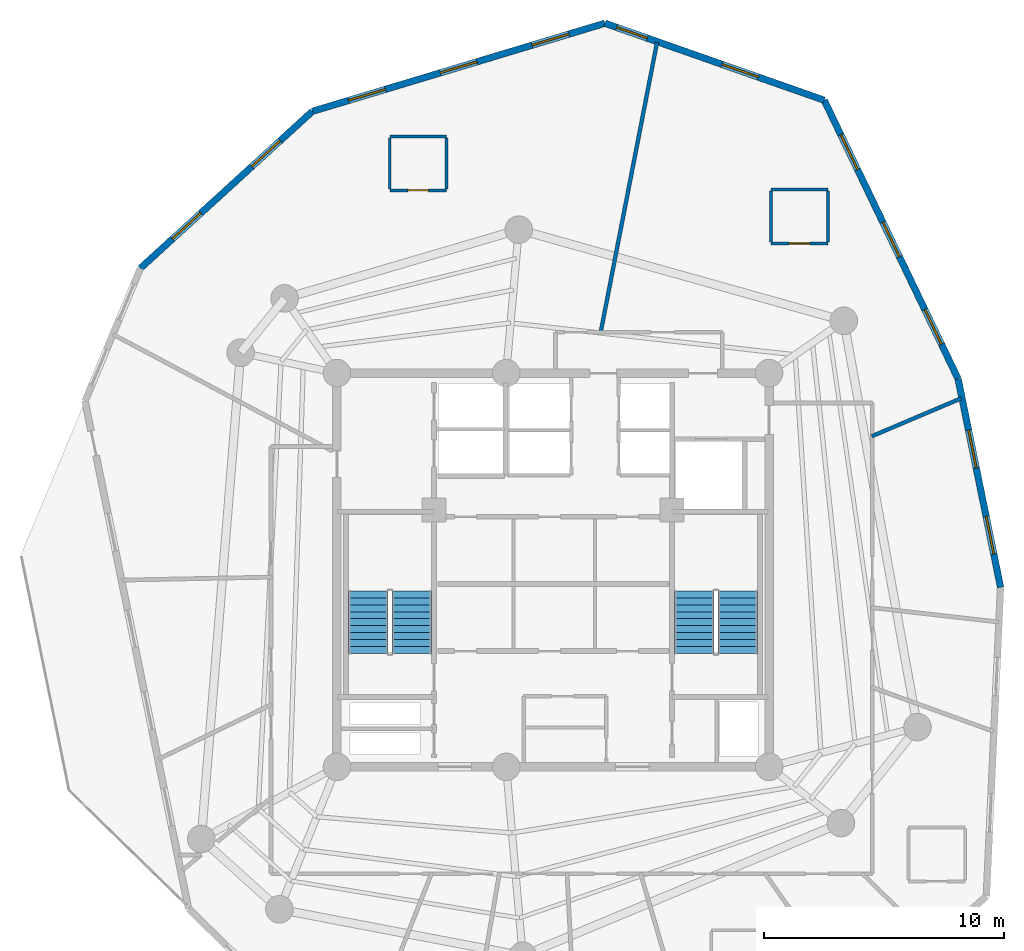
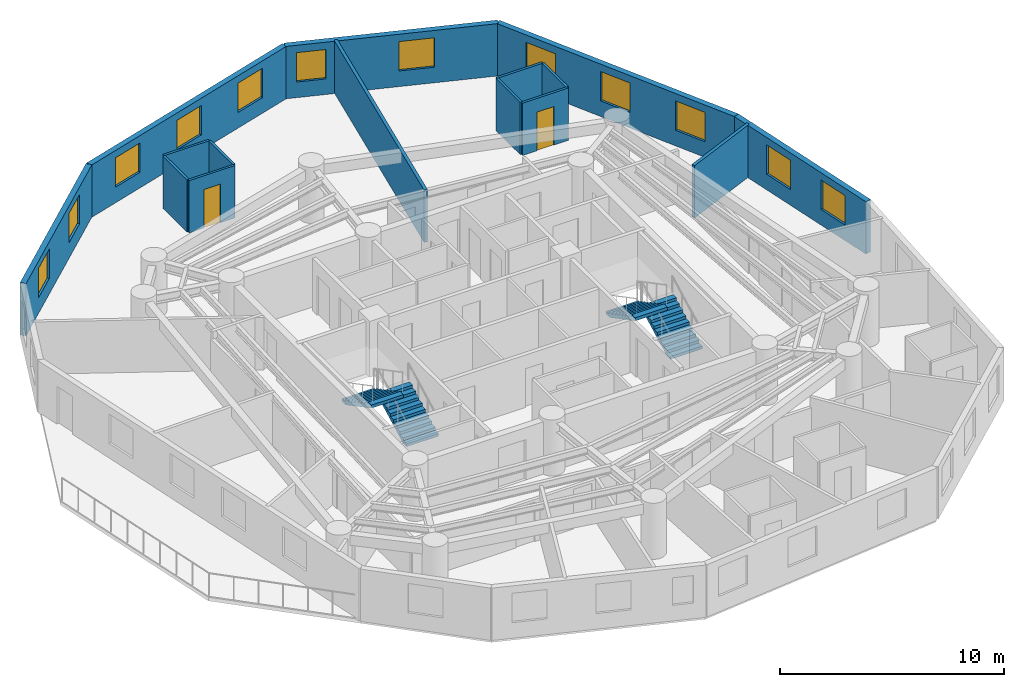
# One storey, part 6 of 8: 15 walls, 12 windows, 4 stair flights, 2 doors, 14 openings, 2 elements without a shape of their own.
"""IFC4 building model written with IfcOpenShell, lengths in metres."""

from ifc_helpers import new_model, si_unit, direction, frame, frame_2d, origin, origin_with_axes, place, context, subcontext, project, spatial, polyline, rectangle, outline, extrude, source, transform, mapped, material, layer, layer_set, type_object, element, fill, aggregate, save


model = new_model("IFC4")

# Units and contexts
model_context = context("Model", 3, precision=1e-05, world=origin(), true_north=direction((0.0, 1.0)))
body_context = subcontext(model_context, "Body", "Model", "MODEL_VIEW")
ifc_project = project(units=[si_unit("LENGTHUNIT", "METRE"), si_unit("AREAUNIT", "SQUARE_METRE"), si_unit("VOLUMEUNIT", "CUBIC_METRE"), si_unit("PLANEANGLEUNIT", "RADIAN"), si_unit("MASSUNIT", "GRAM", prefix="KILO")], contexts=[model_context])

# Site, building, storey
site_placement = place(None, origin())
site = spatial("IfcSite", under=ifc_project, at=site_placement, CompositionType="ELEMENT")
building_placement = place(site_placement, origin())
building = spatial("IfcBuilding", under=site, at=building_placement, Name="Karkom Vertical University and Central Library", CompositionType="ELEMENT")
storey_placement = place(building_placement, frame((0.0, 0.0, 216.89990234375)))
storey = spatial("IfcBuildingStorey", under=building, at=storey_placement, Name="L63", CompositionType="ELEMENT", Elevation=216.89990234375)

# Wall, openings, windows
ifc_material_1 = material(Name="Brick-faced precast concrete C45/55", Category="masonry")
ifc_layer_1 = layer(ifc_material_1, 0.280029296875)
ifc_layer_set_1 = layer_set([ifc_layer_1], Name="Brick-faced precast concrete C45/55")
wall_type_1 = type_object("IfcWallType", Name="ENV-WL-BRK-280", PredefinedType="SOLIDWALL", material=ifc_layer_set_1)
wall_1_placement = place(storey_placement, frame((47.144775390625, 25.774658203125, 0.0), z_axis=(0.0, 0.0, 1.0), x_axis=(-0.199719997546, 0.979853010701, 0.0)))
wall_1 = element("IfcWall", 1, at=wall_1_placement, inside=storey, type_object=wall_type_1, Name="Level 63 Brick-Faced Precast Facade Wall 06", PredefinedType="SOLIDWALL", context=body_context, shape_type="SweptSolid", body=[
    extrude(rectangle(XDim=8.86865234375, YDim=0.280029296875, at=frame_2d((4.434326171875, 0.0))), origin(), (0.0, 0.0, 1.0), 2.85009765625),
])
opening_1_placement = place(wall_1_placement, frame((1.415283203125, 0.0, 0.85009765625)))
opening_1 = element("IfcOpeningElement", 2, at=opening_1_placement, cuts=wall_1, Name="Opening WN-10", PredefinedType="OPENING", context=body_context, shape_type="SweptSolid", body=[
    extrude(rectangle(XDim=1.60009765625, YDim=1.60009765625, at=frame_2d((0.800048828125, 0.800048828125))), frame((0.0, 0.14990234375, 0.0), z_axis=(0.0, -1.0, 0.0), x_axis=(1.0, 0.0, 0.0)), (0.0, 0.0, 1.0), 0.300048828125),
])
opening_2_placement = place(wall_1_placement, frame((5.086181640625, 0.0, 0.85009765625)))
opening_2 = element("IfcOpeningElement", 3, at=opening_2_placement, cuts=wall_1, Name="Opening WN-10", PredefinedType="OPENING", context=body_context, shape_type="SweptSolid", body=[
    extrude(rectangle(XDim=1.60009765625, YDim=1.60009765625, at=frame_2d((0.800048828125, 0.800048828125))), frame((0.0, 0.14990234375, 0.0), z_axis=(0.0, -1.0, 0.0), x_axis=(1.0, 0.0, 0.0)), (0.0, 0.0, 1.0), 0.300048828125),
])
ifc_material_2 = material(Name="Aluminium thermal-break frame with solar-control IGU", Category="aluminium")
window_type_1 = type_object("IfcWindowType", Name="ENV-WIN-WN-10", PartitioningType="SINGLE_PANEL", PredefinedType="WINDOW", material=ifc_material_2)
shared_shape_1 = source(origin_with_axes(), body_context, "Body", "SweptSolid", [
    extrude(rectangle(XDim=1.60009765625, YDim=1.60009765625, at=frame_2d((0.800048828125, 0.800048828125))), frame((0.0, 0.030029296875, 0.0), z_axis=(0.0, -1.0, 0.0), x_axis=(1.0, 0.0, 0.0)), (0.0, 0.0, 1.0), 0.06005859375),
])
window_1_placement = place(opening_1_placement, origin())
window_1 = element("IfcWindow", 4, at=window_1_placement, inside=storey, type_object=window_type_1, Name="Level 63 Punched Window 6.1", OverallHeight=1.60009765625, OverallWidth=1.60009765625, PartitioningType="SINGLE_PANEL", PredefinedType="WINDOW", context=body_context, shape_type="MappedRepresentation", body=[
    mapped(shared_shape_1, transform((0.0, 0.0, 0.0), scale=1.0)),
])
fill(opening_1, window_1)
window_2_placement = place(opening_2_placement, origin())
window_2 = element("IfcWindow", 5, at=window_2_placement, inside=storey, type_object=window_type_1, Name="Level 63 Punched Window 6.2", OverallHeight=1.60009765625, OverallWidth=1.60009765625, PartitioningType="SINGLE_PANEL", PredefinedType="WINDOW", context=body_context, shape_type="MappedRepresentation", body=[
    mapped(shared_shape_1, transform((0.0, 0.0, 0.0), scale=1.0)),
])
fill(opening_2, window_2)

wall_2_placement = place(storey_placement, frame((45.37353515625, 34.464599609375, 0.0), z_axis=(0.0, 0.0, 1.0), x_axis=(-0.433079365024, 0.901355791899, 0.0)))
wall_2 = element("IfcWall", 6, at=wall_2_placement, inside=storey, type_object=wall_type_1, Name="Level 63 Brick-Faced Precast Facade Wall 07", PredefinedType="SOLIDWALL", context=body_context, shape_type="SweptSolid", body=[
    extrude(rectangle(XDim=12.8740234375, YDim=0.280029296875, at=frame_2d((6.43701171875, 0.0))), origin(), (0.0, 0.0, 1.0), 2.85009765625),
])
opening_3_placement = place(wall_2_placement, frame((1.59912109375, 0.0, 0.85009765625)))
opening_3 = element("IfcOpeningElement", 7, at=opening_3_placement, cuts=wall_2, Name="Opening WN-10", PredefinedType="OPENING", context=body_context, shape_type="SweptSolid", body=[
    extrude(rectangle(XDim=1.60009765625, YDim=1.60009765625, at=frame_2d((0.800048828125, 0.800048828125))), frame((0.0, 0.14990234375, 0.0), z_axis=(0.0, -1.0, 0.0), x_axis=(1.0, 0.0, 0.0)), (0.0, 0.0, 1.0), 0.300048828125),
])
opening_4_placement = place(wall_2_placement, frame((5.636962890625, 0.0, 0.85009765625)))
opening_4 = element("IfcOpeningElement", 8, at=opening_4_placement, cuts=wall_2, Name="Opening WN-10", PredefinedType="OPENING", context=body_context, shape_type="SweptSolid", body=[
    extrude(rectangle(XDim=1.60009765625, YDim=1.60009765625, at=frame_2d((0.800048828125, 0.800048828125))), frame((0.0, 0.14990234375, 0.0), z_axis=(0.0, -1.0, 0.0), x_axis=(1.0, 0.0, 0.0)), (0.0, 0.0, 1.0), 0.300048828125),
])
opening_5_placement = place(wall_2_placement, frame((9.6748046875, 0.0, 0.85009765625)))
opening_5 = element("IfcOpeningElement", 9, at=opening_5_placement, cuts=wall_2, Name="Opening WN-10", PredefinedType="OPENING", context=body_context, shape_type="SweptSolid", body=[
    extrude(rectangle(XDim=1.60009765625, YDim=1.60009765625, at=frame_2d((0.800048828125, 0.800048828125))), frame((0.0, 0.14990234375, 0.0), z_axis=(0.0, -1.0, 0.0), x_axis=(1.0, 0.0, 0.0)), (0.0, 0.0, 1.0), 0.300048828125),
])
window_3_placement = place(opening_3_placement, origin())
window_3 = element("IfcWindow", 10, at=window_3_placement, inside=storey, type_object=window_type_1, Name="Level 63 Punched Window 7.1", OverallHeight=1.60009765625, OverallWidth=1.60009765625, PartitioningType="SINGLE_PANEL", PredefinedType="WINDOW", context=body_context, shape_type="MappedRepresentation", body=[
    mapped(shared_shape_1, transform((0.0, 0.0, 0.0), scale=1.0)),
])
fill(opening_3, window_3)
window_4_placement = place(opening_4_placement, origin())
window_4 = element("IfcWindow", 11, at=window_4_placement, inside=storey, type_object=window_type_1, Name="Level 63 Punched Window 7.2", OverallHeight=1.60009765625, OverallWidth=1.60009765625, PartitioningType="SINGLE_PANEL", PredefinedType="WINDOW", context=body_context, shape_type="MappedRepresentation", body=[
    mapped(shared_shape_1, transform((0.0, 0.0, 0.0), scale=1.0)),
])
fill(opening_4, window_4)
window_5_placement = place(opening_5_placement, origin())
window_5 = element("IfcWindow", 12, at=window_5_placement, inside=storey, type_object=window_type_1, Name="Level 63 Punched Window 7.3", OverallHeight=1.60009765625, OverallWidth=1.60009765625, PartitioningType="SINGLE_PANEL", PredefinedType="WINDOW", context=body_context, shape_type="MappedRepresentation", body=[
    mapped(shared_shape_1, transform((0.0, 0.0, 0.0), scale=1.0)),
])
fill(opening_5, window_5)

wall_3_placement = place(storey_placement, frame((39.798095703125, 46.068603515625, 0.0), z_axis=(0.0, 0.0, 1.0), x_axis=(-0.94357772927, 0.331151126867, 0.0)))
wall_3 = element("IfcWall", 13, at=wall_3_placement, inside=storey, type_object=wall_type_1, Name="Level 63 Brick-Faced Precast Facade Wall 08", PredefinedType="SOLIDWALL", context=body_context, shape_type="SweptSolid", body=[
    extrude(rectangle(XDim=9.682373046875, YDim=0.280029296875, at=frame_2d((4.84130859375, 0.0))), origin(), (0.0, 0.0, 1.0), 2.85009765625),
])
opening_6_placement = place(wall_3_placement, frame((2.912841796875, 0.0, 0.85009765625)))
opening_6 = element("IfcOpeningElement", 14, at=opening_6_placement, cuts=wall_3, Name="Opening WN-10", PredefinedType="OPENING", context=body_context, shape_type="SweptSolid", body=[
    extrude(rectangle(XDim=1.60009765625, YDim=1.60009765625, at=frame_2d((0.800048828125, 0.800048828125))), frame((0.0, 0.14990234375, 0.0), z_axis=(0.0, -1.0, 0.0), x_axis=(1.0, 0.0, 0.0)), (0.0, 0.0, 1.0), 0.300048828125),
])
opening_7_placement = place(wall_3_placement, frame((7.819091796875, 0.0, 0.85009765625)))
opening_7 = element("IfcOpeningElement", 15, at=opening_7_placement, cuts=wall_3, Name="Opening WN-11", PredefinedType="OPENING", context=body_context, shape_type="SweptSolid", body=[
    extrude(rectangle(XDim=1.35009765625, YDim=1.60009765625, at=frame_2d((0.675048828125, 0.800048828125))), frame((0.0, 0.14990234375, 0.0), z_axis=(0.0, -1.0, 0.0), x_axis=(1.0, 0.0, 0.0)), (0.0, 0.0, 1.0), 0.300048828125),
])
window_6_placement = place(opening_6_placement, origin())
window_6 = element("IfcWindow", 16, at=window_6_placement, inside=storey, type_object=window_type_1, Name="Level 63 Punched Window 8.1", OverallHeight=1.60009765625, OverallWidth=1.60009765625, PartitioningType="SINGLE_PANEL", PredefinedType="WINDOW", context=body_context, shape_type="MappedRepresentation", body=[
    mapped(shared_shape_1, transform((0.0, 0.0, 0.0), scale=1.0)),
])
fill(opening_6, window_6)
window_type_2 = type_object("IfcWindowType", Name="ENV-WIN-WN-11", PartitioningType="SINGLE_PANEL", PredefinedType="WINDOW", material=ifc_material_2)
shared_shape_2 = source(origin_with_axes(), body_context, "Body", "SweptSolid", [
    extrude(rectangle(XDim=1.35009765625, YDim=1.60009765625, at=frame_2d((0.675048828125, 0.800048828125))), frame((0.0, 0.030029296875, 0.0), z_axis=(0.0, -1.0, 0.0), x_axis=(1.0, 0.0, 0.0)), (0.0, 0.0, 1.0), 0.06005859375),
])
window_7_placement = place(opening_7_placement, origin())
window_7 = element("IfcWindow", 17, at=window_7_placement, inside=storey, type_object=window_type_2, Name="Level 63 Punched Window 8.2", OverallHeight=1.60009765625, OverallWidth=1.35009765625, PartitioningType="SINGLE_PANEL", PredefinedType="WINDOW", context=body_context, shape_type="MappedRepresentation", body=[
    mapped(shared_shape_2, transform((0.0, 0.0, 0.0), scale=1.0)),
])
fill(opening_7, window_7)

wall_4_placement = place(storey_placement, frame((30.662109375, 49.27490234375, 0.0), z_axis=(0.0, 0.0, 1.0), x_axis=(-0.957541243274, -0.288296318792, 0.0)))
wall_4 = element("IfcWall", 18, at=wall_4_placement, inside=storey, type_object=wall_type_1, Name="Level 63 Brick-Faced Precast Facade Wall 09", PredefinedType="SOLIDWALL", context=body_context, shape_type="SweptSolid", body=[
    extrude(rectangle(XDim=12.72705078125, YDim=0.280029296875, at=frame_2d((6.363525390625, 0.0))), origin(), (0.0, 0.0, 1.0), 2.85009765625),
])
opening_8_placement = place(wall_4_placement, frame((1.574462890625, 0.0, 0.85009765625)))
opening_8 = element("IfcOpeningElement", 19, at=opening_8_placement, cuts=wall_4, Name="Opening WN-10", PredefinedType="OPENING", context=body_context, shape_type="SweptSolid", body=[
    extrude(rectangle(XDim=1.60009765625, YDim=1.60009765625, at=frame_2d((0.800048828125, 0.800048828125))), frame((0.0, 0.14990234375, 0.0), z_axis=(0.0, -1.0, 0.0), x_axis=(1.0, 0.0, 0.0)), (0.0, 0.0, 1.0), 0.300048828125),
])
opening_9_placement = place(wall_4_placement, frame((5.563720703125, 0.0, 0.85009765625)))
opening_9 = element("IfcOpeningElement", 20, at=opening_9_placement, cuts=wall_4, Name="Opening WN-10", PredefinedType="OPENING", context=body_context, shape_type="SweptSolid", body=[
    extrude(rectangle(XDim=1.60009765625, YDim=1.60009765625, at=frame_2d((0.800048828125, 0.800048828125))), frame((0.0, 0.14990234375, 0.0), z_axis=(0.0, -1.0, 0.0), x_axis=(1.0, 0.0, 0.0)), (0.0, 0.0, 1.0), 0.300048828125),
])
opening_10_placement = place(wall_4_placement, frame((9.552490234375, 0.0, 0.85009765625)))
opening_10 = element("IfcOpeningElement", 21, at=opening_10_placement, cuts=wall_4, Name="Opening WN-10", PredefinedType="OPENING", context=body_context, shape_type="SweptSolid", body=[
    extrude(rectangle(XDim=1.60009765625, YDim=1.60009765625, at=frame_2d((0.800048828125, 0.800048828125))), frame((0.0, 0.14990234375, 0.0), z_axis=(0.0, -1.0, 0.0), x_axis=(1.0, 0.0, 0.0)), (0.0, 0.0, 1.0), 0.300048828125),
])
window_8_placement = place(opening_8_placement, origin())
window_8 = element("IfcWindow", 22, at=window_8_placement, inside=storey, type_object=window_type_1, Name="Level 63 Punched Window 9.1", OverallHeight=1.60009765625, OverallWidth=1.60009765625, PartitioningType="SINGLE_PANEL", PredefinedType="WINDOW", context=body_context, shape_type="MappedRepresentation", body=[
    mapped(shared_shape_1, transform((0.0, 0.0, 0.0), scale=1.0)),
])
fill(opening_8, window_8)
window_9_placement = place(opening_9_placement, origin())
window_9 = element("IfcWindow", 23, at=window_9_placement, inside=storey, type_object=window_type_1, Name="Level 63 Punched Window 9.2", OverallHeight=1.60009765625, OverallWidth=1.60009765625, PartitioningType="SINGLE_PANEL", PredefinedType="WINDOW", context=body_context, shape_type="MappedRepresentation", body=[
    mapped(shared_shape_1, transform((0.0, 0.0, 0.0), scale=1.0)),
])
fill(opening_9, window_9)
window_10_placement = place(opening_10_placement, origin())
window_10 = element("IfcWindow", 24, at=window_10_placement, inside=storey, type_object=window_type_1, Name="Level 63 Punched Window 9.3", OverallHeight=1.60009765625, OverallWidth=1.60009765625, PartitioningType="SINGLE_PANEL", PredefinedType="WINDOW", context=body_context, shape_type="MappedRepresentation", body=[
    mapped(shared_shape_1, transform((0.0, 0.0, 0.0), scale=1.0)),
])
fill(opening_10, window_10)

wall_5_placement = place(storey_placement, frame((18.475341796875, 45.605712890625, 0.0), z_axis=(0.0, 0.0, 1.0), x_axis=(-0.738675027823, -0.674061720668, 0.0)))
wall_5 = element("IfcWall", 25, at=wall_5_placement, inside=storey, type_object=wall_type_1, Name="Level 63 Brick-Faced Precast Facade Wall 10", PredefinedType="SOLIDWALL", context=body_context, shape_type="SweptSolid", body=[
    extrude(rectangle(XDim=9.703125, YDim=0.280029296875, at=frame_2d((4.8515625, 0.0))), origin(), (0.0, 0.0, 1.0), 2.85009765625),
])
opening_11_placement = place(wall_5_placement, frame((1.81591796875, 0.0, 0.85009765625)))
opening_11 = element("IfcOpeningElement", 26, at=opening_11_placement, cuts=wall_5, Name="Opening WN-10", PredefinedType="OPENING", context=body_context, shape_type="SweptSolid", body=[
    extrude(rectangle(XDim=1.60009765625, YDim=1.60009765625, at=frame_2d((0.800048828125, 0.800048828125))), frame((0.0, 0.14990234375, 0.0), z_axis=(0.0, -1.0, 0.0), x_axis=(1.0, 0.0, 0.0)), (0.0, 0.0, 1.0), 0.300048828125),
])
opening_12_placement = place(wall_5_placement, frame((6.287353515625, 0.0, 0.85009765625)))
opening_12 = element("IfcOpeningElement", 27, at=opening_12_placement, cuts=wall_5, Name="Opening WN-10", PredefinedType="OPENING", context=body_context, shape_type="SweptSolid", body=[
    extrude(rectangle(XDim=1.60009765625, YDim=1.60009765625, at=frame_2d((0.800048828125, 0.800048828125))), frame((0.0, 0.14990234375, 0.0), z_axis=(0.0, -1.0, 0.0), x_axis=(1.0, 0.0, 0.0)), (0.0, 0.0, 1.0), 0.300048828125),
])
window_11_placement = place(opening_11_placement, origin())
window_11 = element("IfcWindow", 28, at=window_11_placement, inside=storey, type_object=window_type_1, Name="Level 63 Punched Window 10.1", OverallHeight=1.60009765625, OverallWidth=1.60009765625, PartitioningType="SINGLE_PANEL", PredefinedType="WINDOW", context=body_context, shape_type="MappedRepresentation", body=[
    mapped(shared_shape_1, transform((0.0, 0.0, 0.0), scale=1.0)),
])
fill(opening_11, window_11)
window_12_placement = place(opening_12_placement, origin())
window_12 = element("IfcWindow", 29, at=window_12_placement, inside=storey, type_object=window_type_1, Name="Level 63 Punched Window 10.2", OverallHeight=1.60009765625, OverallWidth=1.60009765625, PartitioningType="SINGLE_PANEL", PredefinedType="WINDOW", context=body_context, shape_type="MappedRepresentation", body=[
    mapped(shared_shape_1, transform((0.0, 0.0, 0.0), scale=1.0)),
])
fill(opening_12, window_12)

# Walls
ifc_material_3 = material(Name="Insulated metal-stud drywall 160mm", Category="gypsum")
ifc_layer_2 = layer(ifc_material_3, 0.159912109375)
ifc_layer_set_2 = layer_set([ifc_layer_2], Name="Insulated metal-stud drywall 160mm")
wall_type_2 = type_object("IfcWallType", Name="INT-WL-COR-160", PredefinedType="PARTITIONING", material=ifc_layer_set_2)
wall_6_placement = place(storey_placement, frame((30.479736328125, 36.37060546875, 0.0), z_axis=(0.0, 0.0, 1.0), x_axis=(0.190817769531, 0.981625477884, 0.0)))
element("IfcWall", 30, at=wall_6_placement, inside=storey, type_object=wall_type_2, Name="Level 63 Interior Partition Wall L63-PW-015", PredefinedType="PARTITIONING", context=body_context, shape_type="SweptSolid", body=[
    extrude(rectangle(XDim=12.341552734375, YDim=0.159912109375, at=frame_2d((6.1708984375, 0.0))), origin(), (0.0, 0.0, 1.0), 2.85009765625),
])
wall_7_placement = place(storey_placement, frame((41.7724609375, 32.068603515625, 0.0), z_axis=(0.0, 0.0, 1.0), x_axis=(0.920510393372, 0.390718076999, 0.0)))
element("IfcWall", 31, at=wall_7_placement, inside=storey, type_object=wall_type_2, Name="Level 63 Interior Partition Wall L63-PW-014", PredefinedType="PARTITIONING", context=body_context, shape_type="SweptSolid", body=[
    extrude(rectangle(XDim=4.062255859375, YDim=0.159912109375, at=frame_2d((2.03125, 0.0))), origin(), (0.0, 0.0, 1.0), 2.85009765625),
])

# Wall, opening, door
ifc_material_4 = material(Name="Moisture-resistant drywall 120mm", Category="gypsum")
ifc_layer_3 = layer(ifc_material_4, 0.1201171875)
ifc_layer_set_3 = layer_set([ifc_layer_3], Name="Moisture-resistant drywall 120mm")
wall_type_3 = type_object("IfcWallType", Name="INT-WL-INT-120F", PredefinedType="PARTITIONING", material=ifc_layer_set_3)
wall_8_placement = place(storey_placement, frame((37.5869140625, 40.10205078125, 0.0), z_axis=(0.0, 0.0, 1.0), x_axis=(1.0, 0.0, 0.0)))
wall_8 = element("IfcWall", 32, at=wall_8_placement, inside=storey, type_object=wall_type_3, Name="Level 63 Interior Partition Wall L63-ENS-51-S", PredefinedType="PARTITIONING", context=body_context, shape_type="SweptSolid", body=[
    extrude(rectangle(XDim=2.360107421875, YDim=0.1201171875, at=frame_2d((1.18017578125, 0.0))), origin(), (0.0, 0.0, 1.0), 2.85009765625),
])
opening_13_placement = place(wall_8_placement, frame((0.75, 0.0, 0.0)))
opening_13 = element("IfcOpeningElement", 33, at=opening_13_placement, cuts=wall_8, Name="Opening D-BATH", PredefinedType="OPENING", context=body_context, shape_type="SweptSolid", body=[
    extrude(rectangle(XDim=0.860107421875, YDim=2.10009765625, at=frame_2d((0.43017578125, 1.050048828125))), frame((0.0, 0.070068359375, 0.0), z_axis=(0.0, -1.0, 0.0), x_axis=(1.0, 0.0, 0.0)), (0.0, 0.0, 1.0), 0.14013671875),
])
ifc_material_5 = material(Name="Moisture-resistant oak door", Category="wood")
door_type = type_object("IfcDoorType", Name="INT-DR-BATH", OperationType="NOTDEFINED", PredefinedType="DOOR", material=ifc_material_5)
shared_shape_3 = source(origin_with_axes(), body_context, "Body", "SweptSolid", [
    extrude(rectangle(XDim=0.860107421875, YDim=2.10009765625, at=frame_2d((0.43017578125, 1.050048828125))), frame((0.0, 0.02490234375, 0.0), z_axis=(0.0, -1.0, 0.0), x_axis=(1.0, 0.0, 0.0)), (0.0, 0.0, 1.0), 0.050048828125),
])
door_1_placement = place(opening_13_placement, origin())
door_1 = element("IfcDoor", 34, at=door_1_placement, inside=storey, type_object=door_type, Name="Level 63 En-Suite Bathroom Door 51", OperationType="SINGLE_SWING_LEFT", OverallHeight=2.10009765625, OverallWidth=0.860107421875, PredefinedType="DOOR", context=body_context, shape_type="MappedRepresentation", body=[
    mapped(shared_shape_3, transform((0.0, 0.0, 0.0), scale=1.0)),
])
fill(opening_13, door_1)

# Wall
wall_9_placement = place(storey_placement, frame((39.947021484375, 42.342041015625, 0.0), z_axis=(0.0, 0.0, 1.0), x_axis=(-1.0, 0.0, 0.0)))
element("IfcWall", 35, at=wall_9_placement, inside=storey, type_object=wall_type_3, Name="Level 63 Interior Partition Wall L63-ENS-51-N", PredefinedType="PARTITIONING", context=body_context, shape_type="SweptSolid", body=[
    extrude(rectangle(XDim=2.360107421875, YDim=0.1201171875, at=frame_2d((1.18017578125, 0.0))), origin(), (0.0, 0.0, 1.0), 2.85009765625),
])

# Wall, opening, door
wall_10_placement = place(storey_placement, frame((21.701904296875, 42.31396484375, 0.0), z_axis=(0.0, 0.0, 1.0), x_axis=(1.0, 0.0, 0.0)))
wall_10 = element("IfcWall", 36, at=wall_10_placement, inside=storey, type_object=wall_type_3, Name="Level 63 Interior Partition Wall L63-ENS-52-S", PredefinedType="PARTITIONING", context=body_context, shape_type="SweptSolid", body=[
    extrude(rectangle(XDim=2.360107421875, YDim=0.1201171875, at=frame_2d((1.18017578125, 0.0))), origin(), (0.0, 0.0, 1.0), 2.85009765625),
])
opening_14_placement = place(wall_10_placement, frame((0.75, 0.0, 0.0)))
opening_14 = element("IfcOpeningElement", 37, at=opening_14_placement, cuts=wall_10, Name="Opening D-BATH", PredefinedType="OPENING", context=body_context, shape_type="SweptSolid", body=[
    extrude(rectangle(XDim=0.860107421875, YDim=2.10009765625, at=frame_2d((0.43017578125, 1.050048828125))), frame((0.0, 0.070068359375, 0.0), z_axis=(0.0, -1.0, 0.0), x_axis=(1.0, 0.0, 0.0)), (0.0, 0.0, 1.0), 0.14013671875),
])
door_2_placement = place(opening_14_placement, origin())
door_2 = element("IfcDoor", 38, at=door_2_placement, inside=storey, type_object=door_type, Name="Level 63 En-Suite Bathroom Door 52", OperationType="SINGLE_SWING_LEFT", OverallHeight=2.10009765625, OverallWidth=0.860107421875, PredefinedType="DOOR", context=body_context, shape_type="MappedRepresentation", body=[
    mapped(shared_shape_3, transform((0.0, 0.0, 0.0), scale=1.0)),
])
fill(opening_14, door_2)

# Walls
wall_11_placement = place(storey_placement, frame((24.06201171875, 44.553955078125, 0.0), z_axis=(0.0, 0.0, 1.0), x_axis=(-1.0, 0.0, 0.0)))
element("IfcWall", 39, at=wall_11_placement, inside=storey, type_object=wall_type_3, Name="Level 63 Interior Partition Wall L63-ENS-52-N", PredefinedType="PARTITIONING", context=body_context, shape_type="SweptSolid", body=[
    extrude(rectangle(XDim=2.360107421875, YDim=0.1201171875, at=frame_2d((1.18017578125, 0.0))), origin(), (0.0, 0.0, 1.0), 2.85009765625),
])
for number, where, z_axis, x_axis, name in (
    (40, (39.947021484375, 40.152099609375, 0.0), (0.0, 0.0, 1.0), (0.0, 1.0, 0.0), "Level 63 Interior Partition Wall L63-ENS-51-E"),
    (41, (37.5869140625, 42.2919921875, 0.0), (0.0, 0.0, 1.0), (0.0, -1.0, 0.0), "Level 63 Interior Partition Wall L63-ENS-51-W"),
    (42, (24.06201171875, 42.364013671875, 0.0), (0.0, 0.0, 1.0), (0.0, 1.0, 0.0), "Level 63 Interior Partition Wall L63-ENS-52-E"),
    (43, (21.701904296875, 44.50390625, 0.0), (0.0, 0.0, 1.0), (0.0, -1.0, 0.0), "Level 63 Interior Partition Wall L63-ENS-52-W"),
):
    element("IfcWall", number, at=place(storey_placement, frame(where, z_axis=z_axis, x_axis=x_axis)), inside=storey, type_object=wall_type_3, Name=name, PredefinedType="PARTITIONING", context=body_context, shape_type="SweptSolid", body=[
        extrude(rectangle(XDim=2.139892578125, YDim=0.1201171875, at=frame_2d((1.06982421875, 0.0))), origin(), (0.0, 0.0, 1.0), 2.85009765625),
    ])

# Stair, stair flights
ifc_material_6 = material(Name="Concrete C45/55", Category="concrete")
stair_type = type_object("IfcStairType", Name="INT-STR-ST-MAIN", PredefinedType="HALF_TURN_STAIR", material=ifc_material_6)
stair_1_placement = place(storey_placement, origin())
stair_1 = element("IfcStair", 44, at=stair_1_placement, inside=storey, type_object=stair_type, Name="Level 63 Tower Protected Exit Stair ST-1", PredefinedType="HALF_TURN_STAIR")
stair_flight_type = type_object("IfcStairFlightType", Name="INT-SFL-ST-MAIN", PredefinedType="STRAIGHT", material=ifc_material_6)
stair_flight_1_placement = place(storey_placement, frame((22.614990234375, 23.02001953125, 0.0), z_axis=(0.0, 0.0, 1.0), x_axis=(0.0, 1.0, 0.0)))
stair_flight_1 = element("IfcStairFlight", 45, at=stair_flight_1_placement, type_object=stair_flight_type, Name="ST-1 flight 1", NumberOfRisers=10, NumberOfTreads=9, PredefinedType="STRAIGHT", RiserHeight=0.1525, TreadLength=0.29, context=body_context, shape_type="SweptSolid", body=[
    extrude(outline(polyline([(0.0, 0.0), (0.0, 0.152587890625), (0.2900390625, 0.152587890625), (0.2900390625, 0.304931640625), (0.580078125, 0.304931640625), (0.580078125, 0.45751953125), (0.8701171875, 0.45751953125), (0.8701171875, 0.610107421875), (1.159912109375, 0.610107421875), (1.159912109375, 0.762451171875), (1.449951171875, 0.762451171875), (1.449951171875, 0.9150390625), (1.739990234375, 0.9150390625), (1.739990234375, 1.0673828125), (2.030029296875, 1.0673828125), (2.030029296875, 1.219970703125), (2.320068359375, 1.219970703125), (2.320068359375, 1.37255859375), (2.610107421875, 1.37255859375), (2.610107421875, 1.52490234375), (2.610107421875, 1.203125), (0.322021484375, 0.0), (0.0, 0.0)])), frame((0.0, 0.824951171875, 0.0), z_axis=(0.0, -1.0, 0.0), x_axis=(1.0, 0.0, 0.0)), (0.0, 0.0, 1.0), 1.64990234375),
])
stair_flight_2_placement = place(storey_placement, frame((20.804931640625, 25.6298828125, 1.525146484375), z_axis=(0.0, 0.0, 1.0), x_axis=(0.0, -1.0, 0.0)))
stair_flight_2 = element("IfcStairFlight", 46, at=stair_flight_2_placement, type_object=stair_flight_type, Name="ST-1 flight 2", NumberOfRisers=10, NumberOfTreads=9, PredefinedType="STRAIGHT", RiserHeight=0.1525, TreadLength=0.29, context=body_context, shape_type="SweptSolid", body=[
    extrude(outline(polyline([(0.0, 0.0), (0.0, 0.152587890625), (0.2900390625, 0.152587890625), (0.2900390625, 0.304931640625), (0.580078125, 0.304931640625), (0.580078125, 0.45751953125), (0.8701171875, 0.45751953125), (0.8701171875, 0.610107421875), (1.159912109375, 0.610107421875), (1.159912109375, 0.762451171875), (1.449951171875, 0.762451171875), (1.449951171875, 0.9150390625), (1.739990234375, 0.9150390625), (1.739990234375, 1.0673828125), (2.030029296875, 1.0673828125), (2.030029296875, 1.219970703125), (2.320068359375, 1.219970703125), (2.320068359375, 1.37255859375), (2.610107421875, 1.37255859375), (2.610107421875, 1.52490234375), (2.610107421875, 1.203125), (0.322021484375, 0.0), (0.0, 0.0)])), frame((0.0, 0.824951171875, 0.0), z_axis=(0.0, -1.0, 0.0), x_axis=(1.0, 0.0, 0.0)), (0.0, 0.0, 1.0), 1.64990234375),
])
aggregate(stair_1, [stair_flight_1, stair_flight_2])

stair_2_placement = place(storey_placement, origin())
stair_2 = element("IfcStair", 47, at=stair_2_placement, inside=storey, type_object=stair_type, Name="Level 63 Tower Protected Exit Stair ST-2", PredefinedType="HALF_TURN_STAIR")
stair_flight_3_placement = place(storey_placement, frame((36.195068359375, 23.02001953125, 0.0), z_axis=(0.0, 0.0, 1.0), x_axis=(0.0, 1.0, 0.0)))
stair_flight_3 = element("IfcStairFlight", 48, at=stair_flight_3_placement, type_object=stair_flight_type, Name="ST-2 flight 1", NumberOfRisers=10, NumberOfTreads=9, PredefinedType="STRAIGHT", RiserHeight=0.1525, TreadLength=0.29, context=body_context, shape_type="SweptSolid", body=[
    extrude(outline(polyline([(0.0, 0.0), (0.0, 0.152587890625), (0.2900390625, 0.152587890625), (0.2900390625, 0.304931640625), (0.580078125, 0.304931640625), (0.580078125, 0.45751953125), (0.8701171875, 0.45751953125), (0.8701171875, 0.610107421875), (1.159912109375, 0.610107421875), (1.159912109375, 0.762451171875), (1.449951171875, 0.762451171875), (1.449951171875, 0.9150390625), (1.739990234375, 0.9150390625), (1.739990234375, 1.0673828125), (2.030029296875, 1.0673828125), (2.030029296875, 1.219970703125), (2.320068359375, 1.219970703125), (2.320068359375, 1.37255859375), (2.610107421875, 1.37255859375), (2.610107421875, 1.52490234375), (2.610107421875, 1.203125), (0.322021484375, 0.0), (0.0, 0.0)])), frame((0.0, 0.824951171875, 0.0), z_axis=(0.0, -1.0, 0.0), x_axis=(1.0, 0.0, 0.0)), (0.0, 0.0, 1.0), 1.64990234375),
])
stair_flight_4_placement = place(storey_placement, frame((34.385009765625, 25.6298828125, 1.525146484375), z_axis=(0.0, 0.0, 1.0), x_axis=(0.0, -1.0, 0.0)))
stair_flight_4 = element("IfcStairFlight", 49, at=stair_flight_4_placement, type_object=stair_flight_type, Name="ST-2 flight 2", NumberOfRisers=10, NumberOfTreads=9, PredefinedType="STRAIGHT", RiserHeight=0.1525, TreadLength=0.29, context=body_context, shape_type="SweptSolid", body=[
    extrude(outline(polyline([(0.0, 0.0), (0.0, 0.152587890625), (0.2900390625, 0.152587890625), (0.2900390625, 0.304931640625), (0.580078125, 0.304931640625), (0.580078125, 0.45751953125), (0.8701171875, 0.45751953125), (0.8701171875, 0.610107421875), (1.159912109375, 0.610107421875), (1.159912109375, 0.762451171875), (1.449951171875, 0.762451171875), (1.449951171875, 0.9150390625), (1.739990234375, 0.9150390625), (1.739990234375, 1.0673828125), (2.030029296875, 1.0673828125), (2.030029296875, 1.219970703125), (2.320068359375, 1.219970703125), (2.320068359375, 1.37255859375), (2.610107421875, 1.37255859375), (2.610107421875, 1.52490234375), (2.610107421875, 1.203125), (0.322021484375, 0.0), (0.0, 0.0)])), frame((0.0, 0.824951171875, 0.0), z_axis=(0.0, -1.0, 0.0), x_axis=(1.0, 0.0, 0.0)), (0.0, 0.0, 1.0), 1.64990234375),
])
aggregate(stair_2, [stair_flight_3, stair_flight_4])

save(model, "model.ifc")
